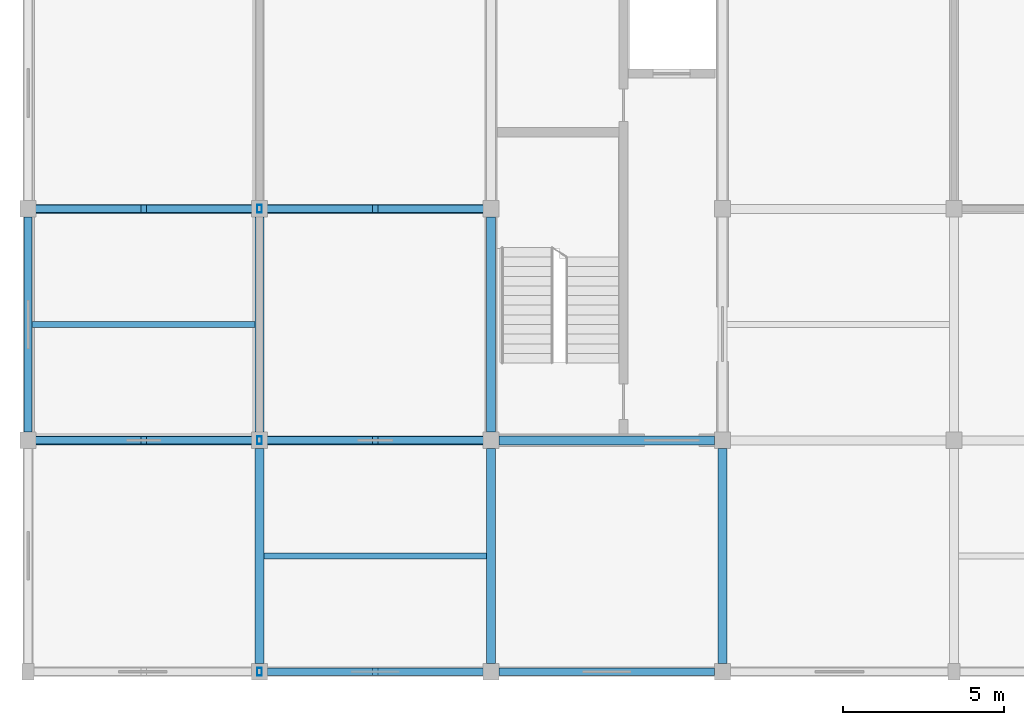
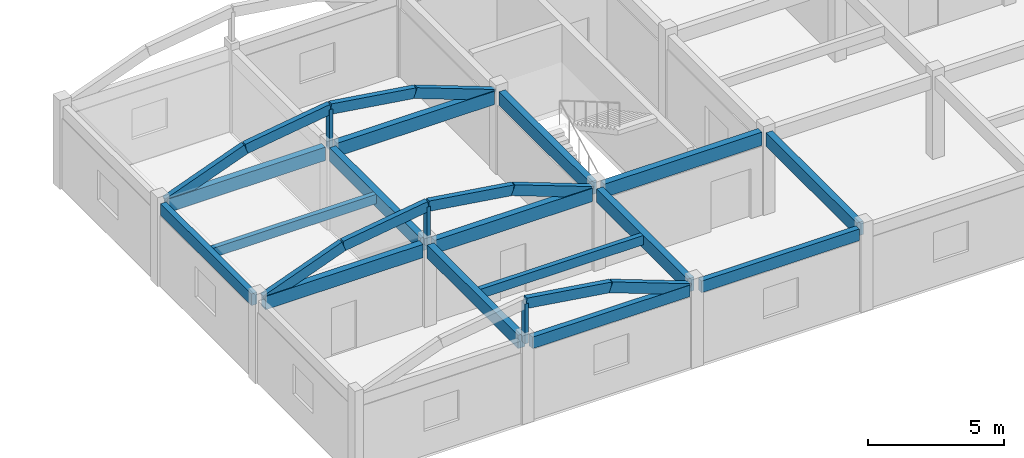
# One storey, part 2 of 10: 15 beams, 13 members.
"""IFC4 building model written with IfcOpenShell, lengths in metres."""

from ifc_helpers import new_model, si_unit, direction, frame, origin, origin_2d, place, context, subcontext, project, spatial, rectangle, hollow_rectangle, extrude, material, material_profile, profile_set, type_object, element, save


model = new_model("IFC4")

# Units and contexts
model_context = context("Model", 3, precision=1e-05, world=origin(), true_north=direction((0.0, 1.0)))
body_context = subcontext(model_context, "Body", "Model", "MODEL_VIEW")
ifc_project = project(units=[si_unit("LENGTHUNIT", "METRE"), si_unit("AREAUNIT", "SQUARE_METRE"), si_unit("VOLUMEUNIT", "CUBIC_METRE"), si_unit("PLANEANGLEUNIT", "RADIAN"), si_unit("MASSUNIT", "GRAM", prefix="KILO")], contexts=[model_context])

# Site, building, storey
site_placement = place(None, origin())
site = spatial("IfcSite", under=ifc_project, at=site_placement, CompositionType="ELEMENT")
building_placement = place(site_placement, origin())
building = spatial("IfcBuilding", under=site, at=building_placement, Name="Cendaluz Park School", CompositionType="ELEMENT")
storey_placement = place(building_placement, frame((0.0, 0.0, 51.0)))
storey = spatial("IfcBuildingStorey", under=building, at=storey_placement, Name="L12", CompositionType="ELEMENT", Elevation=51.0)

# Beams
ifc_material_1 = material(Name="Glulam GL28h", Category="wood")
ifc_material_profile_1 = material_profile(ifc_material_1, rectangle(XDim=0.280029296875, YDim=0.60009765625, at=origin_2d()), Name="GL28h 280x600", Category="wood")
ifc_profile_set_1 = profile_set([ifc_material_profile_1], Name="Glulam GL28h")
beam_type_1 = type_object("IfcBeamType", Name="BM-GL02", PredefinedType="BEAM", material=ifc_profile_set_1)
for number, where, z_axis, x_axis, name in (
    (1, (50.64990234375, 14.39990234375, 3.389892578125), (1.0, 0.0, 0.0), (0.0, 1.0, 0.0), "BM-L12-BMGL02-0002"),
    (2, (50.64990234375, 21.60009765625, 3.389892578125), (1.0, 0.0, 0.0), (0.0, 1.0, 0.0), "BM-L12-BMGL02-0003"),
):
    element("IfcBeam", number, at=place(storey_placement, frame(where, z_axis=z_axis, x_axis=x_axis)), inside=storey, type_object=beam_type_1, Name=name, PredefinedType="BEAM", context=body_context, shape_type="SweptSolid", body=[
        extrude(rectangle(XDim=0.280029296875, YDim=0.60009765625, at=origin_2d()), origin(), (0.0, 0.0, 1.0), 6.7001953125),
    ])
for number, where, z_axis, x_axis, name in (
    (3, (57.85009765625, 14.39990234375, 3.389892578125), (1.0, 0.0, 0.0), (0.0, 1.0, 0.0), "BM-L12-BMGL02-0006"),
    (4, (57.85009765625, 21.60009765625, 3.389892578125), (1.0, 0.0, 0.0), (0.0, 1.0, 0.0), "BM-L12-BMGL02-0007"),
    (5, (65.050048828125, 14.39990234375, 3.389892578125), (1.0, 0.0, 0.0), (0.0, 1.0, 0.0), "BM-L12-BMGL02-0010"),
    (6, (57.60009765625, 7.449951171875, 3.389892578125), (0.0, 1.0, 0.0), (-1.0, 0.0, 0.0), "BM-L12-BMGL02-0061"),
):
    element("IfcBeam", number, at=place(storey_placement, frame(where, z_axis=z_axis, x_axis=x_axis)), inside=storey, type_object=beam_type_1, Name=name, PredefinedType="BEAM", context=body_context, shape_type="SweptSolid", body=[
        extrude(rectangle(XDim=0.280029296875, YDim=0.60009765625, at=origin_2d()), origin(), (0.0, 0.0, 1.0), 6.699951171875),
    ])
beam_1_placement = place(storey_placement, frame((57.60009765625, 14.64990234375, 3.389892578125), z_axis=(0.0, 1.0, 0.0), x_axis=(-1.0, 0.0, 0.0)))
element("IfcBeam", 7, at=beam_1_placement, inside=storey, type_object=beam_type_1, Name="BM-L12-BMGL02-0062", PredefinedType="BEAM", context=body_context, shape_type="SweptSolid", body=[
    extrude(rectangle(XDim=0.280029296875, YDim=0.60009765625, at=origin_2d()), origin(), (0.0, 0.0, 1.0), 6.7001953125),
])
beam_2_placement = place(storey_placement, frame((64.800048828125, 7.449951171875, 3.389892578125), z_axis=(0.0, 1.0, 0.0), x_axis=(-1.0, 0.0, 0.0)))
element("IfcBeam", 8, at=beam_2_placement, inside=storey, type_object=beam_type_1, Name="BM-L12-BMGL02-0064", PredefinedType="BEAM", context=body_context, shape_type="SweptSolid", body=[
    extrude(rectangle(XDim=0.280029296875, YDim=0.60009765625, at=origin_2d()), origin(), (0.0, 0.0, 1.0), 6.699951171875),
])
beam_3_placement = place(storey_placement, frame((64.800048828125, 14.64990234375, 3.389892578125), z_axis=(0.0, 1.0, 0.0), x_axis=(-1.0, 0.0, 0.0)))
element("IfcBeam", 9, at=beam_3_placement, inside=storey, type_object=beam_type_1, Name="BM-L12-BMGL02-0065", PredefinedType="BEAM", context=body_context, shape_type="SweptSolid", body=[
    extrude(rectangle(XDim=0.280029296875, YDim=0.60009765625, at=origin_2d()), origin(), (0.0, 0.0, 1.0), 6.7001953125),
])
beam_4_placement = place(storey_placement, frame((72.0, 7.449951171875, 3.389892578125), z_axis=(0.0, 1.0, 0.0), x_axis=(-1.0, 0.0, 0.0)))
element("IfcBeam", 10, at=beam_4_placement, inside=storey, type_object=beam_type_1, Name="BM-L12-BMGL02-0072", PredefinedType="BEAM", context=body_context, shape_type="SweptSolid", body=[
    extrude(rectangle(XDim=0.280029296875, YDim=0.60009765625, at=origin_2d()), origin(), (0.0, 0.0, 1.0), 6.699951171875),
])
ifc_material_profile_2 = material_profile(ifc_material_1, rectangle(XDim=0.239990234375, YDim=0.52001953125, at=origin_2d()), Name="GL28h 240x520", Category="wood")
ifc_profile_set_2 = profile_set([ifc_material_profile_2], Name="Glulam GL28h")
beam_type_2 = type_object("IfcBeamType", Name="BM-GL03", PredefinedType="SPANDREL", material=ifc_profile_set_2)
for number, where, z_axis, x_axis, name in (
    (11, (57.85009765625, 7.199951171875, 3.429931640625), (1.0, 0.0, 0.0), (0.0, 1.0, 0.0), "BM-L12-BMGL03-0005"),
    (12, (65.050048828125, 7.199951171875, 3.429931640625), (1.0, 0.0, 0.0), (0.0, 1.0, 0.0), "BM-L12-BMGL03-0009"),
):
    element("IfcBeam", number, at=place(storey_placement, frame(where, z_axis=z_axis, x_axis=x_axis)), inside=storey, type_object=beam_type_2, Name=name, PredefinedType="SPANDREL", context=body_context, shape_type="SweptSolid", body=[
        extrude(rectangle(XDim=0.239990234375, YDim=0.52001953125, at=origin_2d()), origin(), (0.0, 0.0, 1.0), 6.699951171875),
    ])
beam_5_placement = place(storey_placement, frame((50.39990234375, 14.64990234375, 3.429931640625), z_axis=(0.0, 1.0, 0.0), x_axis=(-1.0, 0.0, 0.0)))
element("IfcBeam", 13, at=beam_5_placement, inside=storey, type_object=beam_type_2, Name="BM-L12-BMGL03-0059", PredefinedType="SPANDREL", context=body_context, shape_type="SweptSolid", body=[
    extrude(rectangle(XDim=0.239990234375, YDim=0.52001953125, at=origin_2d()), origin(), (0.0, 0.0, 1.0), 6.7001953125),
])
ifc_material_profile_3 = material_profile(ifc_material_1, rectangle(XDim=0.199951171875, YDim=0.419921875, at=origin_2d()), Name="GL28h 200x420", Category="wood")
ifc_profile_set_3 = profile_set([ifc_material_profile_3], Name="Glulam GL28h")
beam_type_3 = type_object("IfcBeamType", Name="JT-GL02", PredefinedType="JOIST", material=ifc_profile_set_3)
beam_6_placement = place(storey_placement, frame((50.52001953125, 18.0, 3.47998046875), z_axis=(1.0, 0.0, 0.0), x_axis=(0.0, 1.0, 0.0)))
element("IfcBeam", 14, at=beam_6_placement, inside=storey, type_object=beam_type_3, Name="BM-L12-JTGL02-0119", PredefinedType="JOIST", context=body_context, shape_type="SweptSolid", body=[
    extrude(rectangle(XDim=0.199951171875, YDim=0.419921875, at=origin_2d()), origin(), (0.0, 0.0, 1.0), 6.93994140625),
])
beam_7_placement = place(storey_placement, frame((57.739990234375, 10.800048828125, 3.47998046875), z_axis=(1.0, 0.0, 0.0), x_axis=(0.0, 1.0, 0.0)))
element("IfcBeam", 15, at=beam_7_placement, inside=storey, type_object=beam_type_3, Name="BM-L12-JTGL02-0120", PredefinedType="JOIST", context=body_context, shape_type="SweptSolid", body=[
    extrude(rectangle(XDim=0.199951171875, YDim=0.419921875, at=origin_2d()), origin(), (0.0, 0.0, 1.0), 6.919921875),
])

# Members
ifc_material_profile_4 = material_profile(ifc_material_1, rectangle(XDim=0.219970703125, YDim=0.4599609375, at=origin_2d()), Name="GL28h 220x460", Category="wood")
ifc_profile_set_4 = profile_set([ifc_material_profile_4], Name="Glulam GL28h")
member_type_1 = type_object("IfcMemberType", Name="MB-CH03", PredefinedType="CHORD", material=ifc_profile_set_4)
member_1_placement = place(storey_placement, frame((57.60009765625, 7.199951171875, 5.2900390625), z_axis=(0.989129862545, 0.0, -0.14704460215), x_axis=(0.0, 1.0, 0.0)))
element("IfcMember", 16, at=member_1_placement, inside=storey, type_object=member_type_1, Name="MB-L12-MBCH03-0016", PredefinedType="CHORD", context=body_context, shape_type="SweptSolid", body=[
    extrude(rectangle(XDim=0.219970703125, YDim=0.4599609375, at=origin_2d()), origin(), (0.0, 0.0, 1.0), 3.639404296875),
])
for number, where, z_axis, x_axis, name in (
    (17, (61.199951171875, 7.199951171875, 4.7548828125), (0.936458125495, 0.0, -0.350779388212), (0.0, 1.0, 0.0), "MB-L12-MBCH03-0017"),
    (18, (50.64990234375, 14.39990234375, 3.5), (0.936458125495, 0.0, 0.350779388212), (0.0, 1.0, 0.0), "MB-L12-MBCH03-0019"),
):
    element("IfcMember", number, at=place(storey_placement, frame(where, z_axis=z_axis, x_axis=x_axis)), inside=storey, type_object=member_type_1, Name=name, PredefinedType="CHORD", context=body_context, shape_type="SweptSolid", body=[
        extrude(rectangle(XDim=0.219970703125, YDim=0.4599609375, at=origin_2d()), origin(), (0.0, 0.0, 1.0), 3.577392578125),
    ])
member_2_placement = place(storey_placement, frame((54.0, 14.39990234375, 4.7548828125), z_axis=(0.989131312864, 0.0, 0.147034845911), x_axis=(0.0, 1.0, 0.0)))
element("IfcMember", 19, at=member_2_placement, inside=storey, type_object=member_type_1, Name="MB-L12-MBCH03-0020", PredefinedType="CHORD", context=body_context, shape_type="SweptSolid", body=[
    extrude(rectangle(XDim=0.219970703125, YDim=0.4599609375, at=origin_2d()), origin(), (0.0, 0.0, 1.0), 3.6396484375),
])
member_3_placement = place(storey_placement, frame((57.60009765625, 14.39990234375, 5.2900390625), z_axis=(0.989129862545, 0.0, -0.14704460215), x_axis=(0.0, 1.0, 0.0)))
element("IfcMember", 20, at=member_3_placement, inside=storey, type_object=member_type_1, Name="MB-L12-MBCH03-0021", PredefinedType="CHORD", context=body_context, shape_type="SweptSolid", body=[
    extrude(rectangle(XDim=0.219970703125, YDim=0.4599609375, at=origin_2d()), origin(), (0.0, 0.0, 1.0), 3.639404296875),
])
for number, where, z_axis, x_axis, name in (
    (21, (61.199951171875, 14.39990234375, 4.7548828125), (0.936458125495, 0.0, -0.350779388212), (0.0, 1.0, 0.0), "MB-L12-MBCH03-0022"),
    (22, (50.64990234375, 21.60009765625, 3.5), (0.936458125495, 0.0, 0.350779388212), (0.0, 1.0, 0.0), "MB-L12-MBCH03-0024"),
):
    element("IfcMember", number, at=place(storey_placement, frame(where, z_axis=z_axis, x_axis=x_axis)), inside=storey, type_object=member_type_1, Name=name, PredefinedType="CHORD", context=body_context, shape_type="SweptSolid", body=[
        extrude(rectangle(XDim=0.219970703125, YDim=0.4599609375, at=origin_2d()), origin(), (0.0, 0.0, 1.0), 3.577392578125),
    ])
member_4_placement = place(storey_placement, frame((54.0, 21.60009765625, 4.7548828125), z_axis=(0.989131312864, 0.0, 0.147034845911), x_axis=(0.0, 1.0, 0.0)))
element("IfcMember", 23, at=member_4_placement, inside=storey, type_object=member_type_1, Name="MB-L12-MBCH03-0025", PredefinedType="CHORD", context=body_context, shape_type="SweptSolid", body=[
    extrude(rectangle(XDim=0.219970703125, YDim=0.4599609375, at=origin_2d()), origin(), (0.0, 0.0, 1.0), 3.6396484375),
])
member_5_placement = place(storey_placement, frame((57.60009765625, 21.60009765625, 5.2900390625), z_axis=(0.989129862545, 0.0, -0.14704460215), x_axis=(0.0, 1.0, 0.0)))
element("IfcMember", 24, at=member_5_placement, inside=storey, type_object=member_type_1, Name="MB-L12-MBCH03-0026", PredefinedType="CHORD", context=body_context, shape_type="SweptSolid", body=[
    extrude(rectangle(XDim=0.219970703125, YDim=0.4599609375, at=origin_2d()), origin(), (0.0, 0.0, 1.0), 3.639404296875),
])
member_6_placement = place(storey_placement, frame((61.199951171875, 21.60009765625, 4.7548828125), z_axis=(0.936458125495, 0.0, -0.350779388212), x_axis=(0.0, 1.0, 0.0)))
element("IfcMember", 25, at=member_6_placement, inside=storey, type_object=member_type_1, Name="MB-L12-MBCH03-0027", PredefinedType="CHORD", context=body_context, shape_type="SweptSolid", body=[
    extrude(rectangle(XDim=0.219970703125, YDim=0.4599609375, at=origin_2d()), origin(), (0.0, 0.0, 1.0), 3.577392578125),
])
ifc_material_2 = material(Name="Steel S355", Category="steel")
ifc_material_profile_5 = material_profile(ifc_material_2, hollow_rectangle(XDim=0.14990234375, YDim=0.25, WallThickness=0.010009765625, at=origin_2d()), Name="RHS 250x150x10", Category="steel")
ifc_profile_set_5 = profile_set([ifc_material_profile_5], Name="Steel S355")
member_type_2 = type_object("IfcMemberType", Name="MST-02", PredefinedType="STRUT", material=ifc_profile_set_5)
for number, where, z_axis, x_axis, name in (
    (26, (57.60009765625, 7.199951171875, 3.5), (0.0, 0.0, 1.0), (1.0, 0.0, 0.0), "MB-L12-MBST02-0013"),
    (27, (57.60009765625, 14.39990234375, 3.5), (0.0, 0.0, 1.0), (1.0, 0.0, 0.0), "MB-L12-MBST02-0018"),
    (28, (57.60009765625, 21.60009765625, 3.5), (0.0, 0.0, 1.0), (1.0, 0.0, 0.0), "MB-L12-MBST02-0023"),
):
    element("IfcMember", number, at=place(storey_placement, frame(where, z_axis=z_axis, x_axis=x_axis)), inside=storey, type_object=member_type_2, Name=name, PredefinedType="STRUT", context=body_context, shape_type="SweptSolid", body=[
        extrude(hollow_rectangle(XDim=0.14990234375, YDim=0.25, WallThickness=0.010009765625, at=origin_2d()), origin(), (0.0, 0.0, 1.0), 1.7900390625),
    ])

save(model, "model.ifc")
